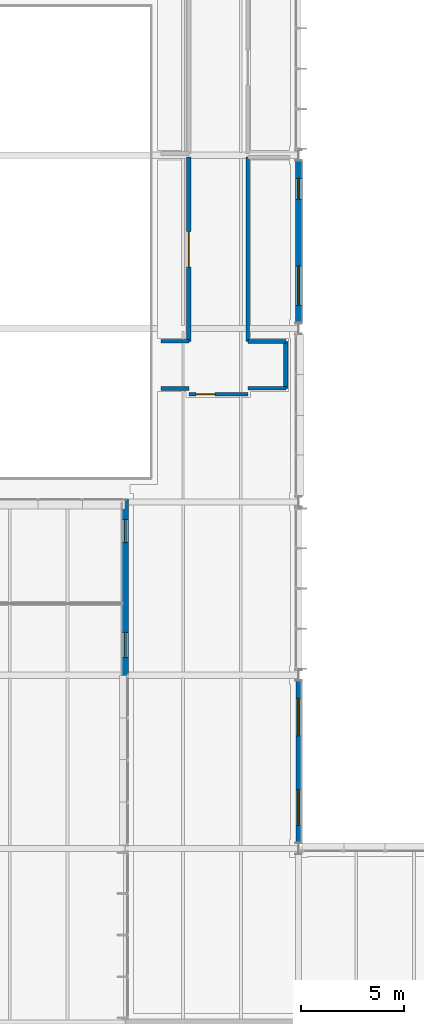
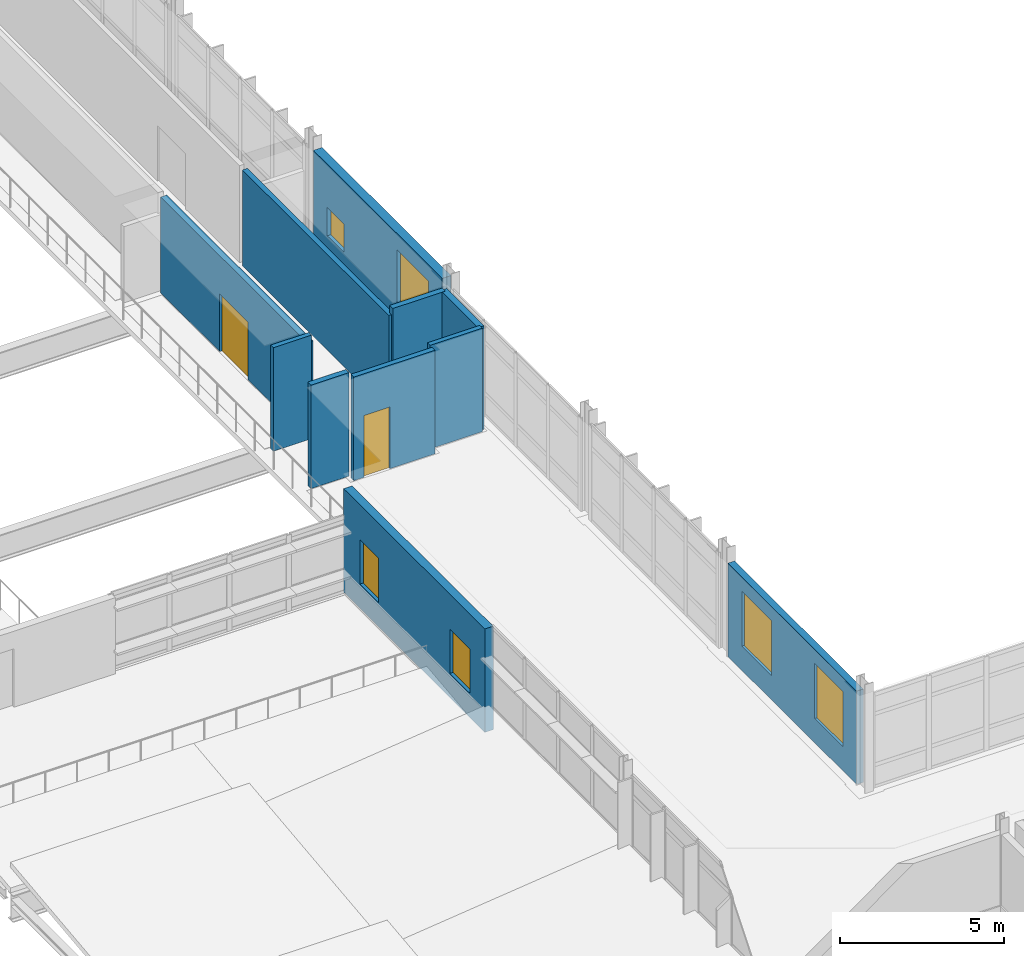
# One storey, part 106 of 131: 11 walls, 6 windows, 2 doors, 8 openings.
"""IFC4 building model written with IfcOpenShell, lengths in metres."""

from ifc_helpers import new_model, si_unit, direction, frame, frame_2d, origin, place, context, subcontext, project, spatial, rectangle, extrude, material, layer, layer_set, type_object, element, fill, save


model = new_model("IFC4")

# Units and contexts
model_context = context("Model", 3, precision=1e-05, world=origin(), true_north=direction((0.0, 1.0)))
body_context = subcontext(model_context, "Body", "Model", "MODEL_VIEW")
ifc_project = project(units=[si_unit("LENGTHUNIT", "METRE"), si_unit("AREAUNIT", "SQUARE_METRE"), si_unit("VOLUMEUNIT", "CUBIC_METRE"), si_unit("PLANEANGLEUNIT", "RADIAN"), si_unit("MASSUNIT", "GRAM", prefix="KILO")], contexts=[model_context])

# Site, building, storey
site_placement = place(None, origin())
site = spatial("IfcSite", under=ifc_project, at=site_placement, CompositionType="ELEMENT")
building_placement = place(site_placement, origin())
building = spatial("IfcBuilding", under=site, at=building_placement, Name="Mersafa Astral City Hall", CompositionType="ELEMENT")
storey_placement = place(building_placement, frame((0.0, 0.0, 13.949951171875)))
storey = spatial("IfcBuildingStorey", under=building, at=storey_placement, Name="L03", CompositionType="ELEMENT", Elevation=13.949951171875)

# Wall, openings, windows
ifc_material_1 = material(Name="Precast concrete C40/50 insulated terracotta spandrel", Category="masonry")
ifc_layer_1 = layer(ifc_material_1, 0.235107421875, Name="Precast concrete C40/50 insulated terracotta spandrel")
ifc_layer_set_1 = layer_set([ifc_layer_1], Name="Precast concrete C40/50 insulated terracotta spandrel — ENV-WAL-EXT-235")
wall_type_1 = type_object("IfcWallType", Name="ENV-WAL-EXT-235", PredefinedType="STANDARD", material=ifc_layer_set_1)
wall_1_placement = place(storey_placement, frame((117.60009765625, 33.87109375, 0.0), z_axis=(0.0, 0.0, 1.0), x_axis=(0.0, 1.0, 0.0)))
wall_1 = element("IfcWall", 1, at=wall_1_placement, inside=storey, type_object=wall_type_1, Name="L03 Limestone-clad exterior wall 233", PredefinedType="STANDARD", context=body_context, shape_type="SweptSolid", body=[
    extrude(rectangle(XDim=7.85791015625, YDim=0.235107421875, at=frame_2d((3.928955078125, 0.0))), origin(), (0.0, 0.0, 1.0), 3.47216796875),
])
opening_1_placement = place(wall_1_placement, frame((0.85009765625, 0.0, 0.89990234375)))
opening_1 = element("IfcOpeningElement", 2, at=opening_1_placement, cuts=wall_1, Name="Opening W-58", PredefinedType="OPENING", context=body_context, shape_type="SweptSolid", body=[
    extrude(rectangle(XDim=1.719970703125, YDim=2.050048828125, at=frame_2d((0.85986328125, 1.02490234375))), frame((0.0, 0.12744140625, 0.0), z_axis=(0.0, -1.0, 0.0), x_axis=(1.0, 0.0, 0.0)), (0.0, 0.0, 1.0), 0.255126953125),
])
opening_2_placement = place(wall_1_placement, frame((5.18798828125, 0.0, 0.89990234375)))
opening_2 = element("IfcOpeningElement", 3, at=opening_2_placement, cuts=wall_1, Name="Opening W-59", PredefinedType="OPENING", context=body_context, shape_type="SweptSolid", body=[
    extrude(rectangle(XDim=1.820068359375, YDim=2.050048828125, at=frame_2d((0.91015625, 1.02490234375))), frame((0.0, 0.12744140625, 0.0), z_axis=(0.0, -1.0, 0.0), x_axis=(1.0, 0.0, 0.0)), (0.0, 0.0, 1.0), 0.255126953125),
])
ifc_material_2 = material(Name="Solar control low-e double glazing in bronze frame", Category="glass")
window_type_1 = type_object("IfcWindowType", Name="ENV-WIN-W-58", PartitioningType="SINGLE_PANEL", PredefinedType="WINDOW", material=ifc_material_2)
window_1_placement = place(opening_1_placement, origin())
window_1 = element("IfcWindow", 4, at=window_1_placement, inside=storey, type_object=window_type_1, Name="L03 Solar punched window 233-L", OverallHeight=2.050048828125, OverallWidth=1.719970703125, PartitioningType="SINGLE_PANEL", PredefinedType="WINDOW", context=body_context, shape_type="SweptSolid", body=[
    extrude(rectangle(XDim=1.719970703125, YDim=2.050048828125, at=frame_2d((0.85986328125, 1.02490234375))), frame((0.0, 0.030029296875, 0.0), z_axis=(0.0, -1.0, 0.0), x_axis=(1.0, 0.0, 0.0)), (0.0, 0.0, 1.0), 0.06005859375),
])
fill(opening_1, window_1)
window_type_2 = type_object("IfcWindowType", Name="ENV-WIN-W-59", PartitioningType="SINGLE_PANEL", PredefinedType="WINDOW", material=ifc_material_2)
window_2_placement = place(opening_2_placement, origin())
window_2 = element("IfcWindow", 5, at=window_2_placement, inside=storey, type_object=window_type_2, Name="L03 Solar punched window 233-R", OverallHeight=2.050048828125, OverallWidth=1.820068359375, PartitioningType="SINGLE_PANEL", PredefinedType="WINDOW", context=body_context, shape_type="SweptSolid", body=[
    extrude(rectangle(XDim=1.820068359375, YDim=2.050048828125, at=frame_2d((0.91015625, 1.02490234375))), frame((0.0, 0.030029296875, 0.0), z_axis=(0.0, -1.0, 0.0), x_axis=(1.0, 0.0, 0.0)), (0.0, 0.0, 1.0), 0.06005859375),
])
fill(opening_2, window_2)

ifc_material_3 = material(Name="Precast concrete C40/50 insulated limestone wall", Category="masonry")
ifc_layer_2 = layer(ifc_material_3, 0.294921875, Name="Precast concrete C40/50 insulated limestone wall")
ifc_layer_set_2 = layer_set([ifc_layer_2], Name="Precast concrete C40/50 insulated limestone wall — ENV-WAL-EXT-295")
wall_type_2 = type_object("IfcWallType", Name="ENV-WAL-EXT-295", PredefinedType="STANDARD", material=ifc_layer_set_2)
wall_2_placement = place(storey_placement, frame((109.199951171875, 50.5400390625, 0.0), z_axis=(0.0, 0.0, 1.0), x_axis=(0.0, -1.0, 0.0)))
wall_2 = element("IfcWall", 6, at=wall_2_placement, inside=storey, type_object=wall_type_2, Name="L03 Limestone-clad exterior wall 283", PredefinedType="STANDARD", context=body_context, shape_type="SweptSolid", body=[
    extrude(rectangle(XDim=8.60498046875, YDim=0.294921875, at=frame_2d((4.302490234375, 0.0))), origin(), (0.0, 0.0, 1.0), 3.85009765625),
])
opening_3_placement = place(wall_2_placement, frame((0.989990234375, 0.0, 0.89990234375)))
opening_3 = element("IfcOpeningElement", 7, at=opening_3_placement, cuts=wall_2, Name="Opening W-32", PredefinedType="OPENING", context=body_context, shape_type="SweptSolid", body=[
    extrude(rectangle(XDim=1.1201171875, YDim=1.64990234375, at=frame_2d((0.56005859375, 0.824951171875))), frame((0.0, 0.157470703125, 0.0), z_axis=(0.0, -1.0, 0.0), x_axis=(1.0, 0.0, 0.0)), (0.0, 0.0, 1.0), 0.31494140625),
])
opening_4_placement = place(wall_2_placement, frame((6.469970703125, 0.0, 0.89990234375)))
opening_4 = element("IfcOpeningElement", 8, at=opening_4_placement, cuts=wall_2, Name="Opening W-33", PredefinedType="OPENING", context=body_context, shape_type="SweptSolid", body=[
    extrude(rectangle(XDim=1.219970703125, YDim=1.64990234375, at=frame_2d((0.60986328125, 0.824951171875))), frame((0.0, 0.157470703125, 0.0), z_axis=(0.0, -1.0, 0.0), x_axis=(1.0, 0.0, 0.0)), (0.0, 0.0, 1.0), 0.31494140625),
])
window_type_3 = type_object("IfcWindowType", Name="ENV-WIN-W-32", PartitioningType="SINGLE_PANEL", PredefinedType="WINDOW", material=ifc_material_2)
window_3_placement = place(opening_3_placement, origin())
window_3 = element("IfcWindow", 9, at=window_3_placement, inside=storey, type_object=window_type_3, Name="L03 Solar punched window 283-L", OverallHeight=1.64990234375, OverallWidth=1.1201171875, PartitioningType="SINGLE_PANEL", PredefinedType="WINDOW", context=body_context, shape_type="SweptSolid", body=[
    extrude(rectangle(XDim=1.1201171875, YDim=1.64990234375, at=frame_2d((0.56005859375, 0.824951171875))), frame((0.0, 0.030029296875, 0.0), z_axis=(0.0, -1.0, 0.0), x_axis=(1.0, 0.0, 0.0)), (0.0, 0.0, 1.0), 0.06005859375),
])
fill(opening_3, window_3)
window_type_4 = type_object("IfcWindowType", Name="ENV-WIN-W-33", PartitioningType="SINGLE_PANEL", PredefinedType="WINDOW", material=ifc_material_2)
window_4_placement = place(opening_4_placement, origin())
window_4 = element("IfcWindow", 10, at=window_4_placement, inside=storey, type_object=window_type_4, Name="L03 Solar punched window 283-R", OverallHeight=1.64990234375, OverallWidth=1.219970703125, PartitioningType="SINGLE_PANEL", PredefinedType="WINDOW", context=body_context, shape_type="SweptSolid", body=[
    extrude(rectangle(XDim=1.219970703125, YDim=1.64990234375, at=frame_2d((0.60986328125, 0.824951171875))), frame((0.0, 0.030029296875, 0.0), z_axis=(0.0, -1.0, 0.0), x_axis=(1.0, 0.0, 0.0)), (0.0, 0.0, 1.0), 0.06005859375),
])
fill(opening_4, window_4)

ifc_layer_3 = layer(ifc_material_3, 0.31005859375, Name="Precast concrete C40/50 insulated limestone wall")
ifc_layer_set_3 = layer_set([ifc_layer_3], Name="Precast concrete C40/50 insulated limestone wall — ENV-WAL-EXT-310")
wall_type_3 = type_object("IfcWallType", Name="ENV-WAL-EXT-310", PredefinedType="STANDARD", material=ifc_layer_set_3)
wall_3_placement = place(storey_placement, frame((117.60009765625, 59.071044921875, 0.0), z_axis=(0.0, 0.0, 1.0), x_axis=(0.0, 1.0, 0.0)))
wall_3 = element("IfcWall", 11, at=wall_3_placement, inside=storey, type_object=wall_type_3, Name="L03 Limestone-clad exterior wall 234", PredefinedType="STANDARD", context=body_context, shape_type="SweptSolid", body=[
    extrude(rectangle(XDim=7.85791015625, YDim=0.31005859375, at=frame_2d((3.928955078125, 0.0))), origin(), (0.0, 0.0, 1.0), 3.56201171875),
])
opening_5_placement = place(wall_3_placement, frame((0.85009765625, 0.0, 0.89990234375)))
opening_5 = element("IfcOpeningElement", 12, at=opening_5_placement, cuts=wall_3, Name="Opening W-60", PredefinedType="OPENING", context=body_context, shape_type="SweptSolid", body=[
    extrude(rectangle(XDim=1.919921875, YDim=2.050048828125, at=frame_2d((0.9599609375, 1.02490234375))), frame((0.0, 0.1650390625, 0.0), z_axis=(0.0, -1.0, 0.0), x_axis=(1.0, 0.0, 0.0)), (0.0, 0.0, 1.0), 0.330078125),
])
opening_6_placement = place(wall_3_placement, frame((5.988037109375, 0.0, 0.89990234375)))
opening_6 = element("IfcOpeningElement", 13, at=opening_6_placement, cuts=wall_3, Name="Opening W-01", PredefinedType="OPENING", context=body_context, shape_type="SweptSolid", body=[
    extrude(rectangle(XDim=1.02001953125, YDim=1.050048828125, at=frame_2d((0.510009765625, 0.52490234375))), frame((0.0, 0.1650390625, 0.0), z_axis=(0.0, -1.0, 0.0), x_axis=(1.0, 0.0, 0.0)), (0.0, 0.0, 1.0), 0.330078125),
])
window_type_5 = type_object("IfcWindowType", Name="ENV-WIN-W-01", PartitioningType="SINGLE_PANEL", PredefinedType="WINDOW", material=ifc_material_2)
window_5_placement = place(opening_6_placement, origin())
window_5 = element("IfcWindow", 14, at=window_5_placement, inside=storey, type_object=window_type_5, Name="L03 Solar punched window 234-R", OverallHeight=1.050048828125, OverallWidth=1.02001953125, PartitioningType="SINGLE_PANEL", PredefinedType="WINDOW", context=body_context, shape_type="SweptSolid", body=[
    extrude(rectangle(XDim=1.02001953125, YDim=1.050048828125, at=frame_2d((0.510009765625, 0.52490234375))), frame((0.0, 0.030029296875, 0.0), z_axis=(0.0, -1.0, 0.0), x_axis=(1.0, 0.0, 0.0)), (0.0, 0.0, 1.0), 0.06005859375),
])
fill(opening_6, window_5)
window_type_6 = type_object("IfcWindowType", Name="ENV-WIN-W-60", PartitioningType="SINGLE_PANEL", PredefinedType="WINDOW", material=ifc_material_2)
window_6_placement = place(opening_5_placement, origin())
window_6 = element("IfcWindow", 15, at=window_6_placement, inside=storey, type_object=window_type_6, Name="L03 Solar punched window 234-L", OverallHeight=2.050048828125, OverallWidth=1.919921875, PartitioningType="SINGLE_PANEL", PredefinedType="WINDOW", context=body_context, shape_type="SweptSolid", body=[
    extrude(rectangle(XDim=1.919921875, YDim=2.050048828125, at=frame_2d((0.9599609375, 1.02490234375))), frame((0.0, 0.030029296875, 0.0), z_axis=(0.0, -1.0, 0.0), x_axis=(1.0, 0.0, 0.0)), (0.0, 0.0, 1.0), 0.06005859375),
])
fill(opening_5, window_6)

# Walls
ifc_material_4 = material(Name="Fire-rated gypsum stud partition", Category="gypsum")
ifc_layer_4 = layer(ifc_material_4, 0.1650390625, Name="Fire-rated gypsum stud partition")
ifc_layer_set_4 = layer_set([ifc_layer_4], Name="Fire-rated gypsum stud partition — INT-WAL-PART-EI60-165")
wall_type_4 = type_object("IfcWallType", Name="INT-WAL-PART-EI60-165", PredefinedType="STANDARD", material=ifc_layer_set_4)
wall_4_placement = place(storey_placement, frame((115.139892578125, 55.89990234375, -0.00390625), z_axis=(0.0, 0.0, 1.0), x_axis=(1.0, 0.0, 0.0)))
element("IfcWall", 16, at=wall_4_placement, inside=storey, type_object=wall_type_4, Name="L03 Interior partition wall 587", PredefinedType="STANDARD", context=body_context, shape_type="SweptSolid", body=[
    extrude(rectangle(XDim=1.840087890625, YDim=0.1650390625, at=frame_2d((0.919921875, 0.0))), origin(), (0.0, 0.0, 1.0), 3.85400390625),
])
wall_5_placement = place(storey_placement, frame((112.280029296875, 58.179931640625, -0.00390625), z_axis=(0.0, 0.0, 1.0), x_axis=(-1.0, 0.0, 0.0)))
element("IfcWall", 17, at=wall_5_placement, inside=storey, type_object=wall_type_4, Name="L03 Interior partition wall 667", PredefinedType="STANDARD", context=body_context, shape_type="SweptSolid", body=[
    extrude(rectangle(XDim=1.340087890625, YDim=0.1650390625, at=frame_2d((0.669921875, 0.0))), origin(), (0.0, 0.0, 1.0), 3.85400390625),
])

# Wall, opening, door
ifc_material_5 = material(Name="Acoustic twin-stud gypsum partition", Category="gypsum")
ifc_layer_5 = layer(ifc_material_5, 0.179931640625, Name="Acoustic twin-stud gypsum partition")
ifc_layer_set_5 = layer_set([ifc_layer_5], Name="Acoustic twin-stud gypsum partition — INT-WAL-PART-EI60-180")
wall_type_5 = type_object("IfcWallType", Name="INT-WAL-PART-EI60-180", PredefinedType="STANDARD", material=ifc_layer_set_5)
wall_6_placement = place(storey_placement, frame((112.280029296875, 55.610107421875, -0.00390625), z_axis=(0.0, 0.0, 1.0), x_axis=(1.0, 0.0, 0.0)))
wall_6 = element("IfcWall", 18, at=wall_6_placement, inside=storey, type_object=wall_type_5, Name="L03 Interior partition wall 586", PredefinedType="STANDARD", context=body_context, shape_type="SweptSolid", body=[
    extrude(rectangle(XDim=2.85986328125, YDim=0.179931640625, at=frame_2d((1.429931640625, 0.0))), origin(), (0.0, 0.0, 1.0), 3.85400390625),
])
opening_7_placement = place(wall_6_placement, frame((0.360107421875, 0.0, 0.0)))
opening_7 = element("IfcOpeningElement", 19, at=opening_7_placement, cuts=wall_6, Name="Opening D-28", PredefinedType="OPENING", context=body_context, shape_type="SweptSolid", body=[
    extrude(rectangle(XDim=0.919921875, YDim=2.300048828125, at=frame_2d((0.4599609375, 1.14990234375))), frame((0.0, 0.099853515625, 0.0), z_axis=(0.0, -1.0, 0.0), x_axis=(1.0, 0.0, 0.0)), (0.0, 0.0, 1.0), 0.199951171875),
])
ifc_material_6 = material(Name="Cedar veneered acoustic fire-rated timber door", Category="wood")
door_type_1 = type_object("IfcDoorType", Name="INT-DR-RM-D-28", OperationType="NOTDEFINED", PredefinedType="DOOR", material=ifc_material_6)
door_1_placement = place(opening_7_placement, origin())
door_1 = element("IfcDoor", 20, at=door_1_placement, inside=storey, type_object=door_type_1, Name="L03 Building Permits Technical Office L03-08 Entrance Door", OperationType="SINGLE_SWING_RIGHT", OverallHeight=2.300048828125, OverallWidth=0.919921875, PredefinedType="DOOR", context=body_context, shape_type="SweptSolid", body=[
    extrude(rectangle(XDim=0.919921875, YDim=2.300048828125, at=frame_2d((0.4599609375, 1.14990234375))), frame((0.0, 0.02490234375, 0.0), z_axis=(0.0, -1.0, 0.0), x_axis=(1.0, 0.0, 0.0)), (0.0, 0.0, 1.0), 0.050048828125),
])
fill(opening_7, door_1)

# Walls
wall_7_placement = place(storey_placement, frame((115.139892578125, 58.179931640625, -0.00390625), z_axis=(0.0, 0.0, 1.0), x_axis=(0.0, 1.0, 0.0)))
element("IfcWall", 21, at=wall_7_placement, inside=storey, type_object=wall_type_5, Name="L03 Interior partition wall 590", PredefinedType="STANDARD", context=body_context, shape_type="SweptSolid", body=[
    extrude(rectangle(XDim=8.93017578125, YDim=0.179931640625, at=frame_2d((4.465087890625, 0.0))), origin(), (0.0, 0.0, 1.0), 3.56591796875),
])
ifc_layer_6 = layer(ifc_material_5, 0.195068359375, Name="Acoustic twin-stud gypsum partition")
ifc_layer_set_6 = layer_set([ifc_layer_6], Name="Acoustic twin-stud gypsum partition — INT-WAL-PART-EI60-195")
wall_type_6 = type_object("IfcWallType", Name="INT-WAL-PART-EI60-195", PredefinedType="STANDARD", material=ifc_layer_set_6)
wall_8_placement = place(storey_placement, frame((110.93994140625, 55.89990234375, -0.00390625), z_axis=(0.0, 0.0, 1.0), x_axis=(1.0, 0.0, 0.0)))
element("IfcWall", 22, at=wall_8_placement, inside=storey, type_object=wall_type_6, Name="L03 Interior partition wall 585", PredefinedType="STANDARD", context=body_context, shape_type="SweptSolid", body=[
    extrude(rectangle(XDim=1.340087890625, YDim=0.195068359375, at=frame_2d((0.669921875, 0.0))), origin(), (0.0, 0.0, 1.0), 3.85400390625),
])
wall_9_placement = place(storey_placement, frame((116.97998046875, 58.179931640625, -0.00390625), z_axis=(0.0, 0.0, 1.0), x_axis=(-1.0, 0.0, 0.0)))
element("IfcWall", 23, at=wall_9_placement, inside=storey, type_object=wall_type_6, Name="L03 Interior partition wall 589", PredefinedType="STANDARD", context=body_context, shape_type="SweptSolid", body=[
    extrude(rectangle(XDim=1.840087890625, YDim=0.195068359375, at=frame_2d((0.919921875, 0.0))), origin(), (0.0, 0.0, 1.0), 3.85400390625),
])
ifc_material_7 = material(Name="Autoclaved aerated concrete blockwork plastered", Category="masonry")
ifc_layer_7 = layer(ifc_material_7, 0.2099609375, Name="Autoclaved aerated concrete blockwork plastered")
ifc_layer_set_7 = layer_set([ifc_layer_7], Name="Autoclaved aerated concrete blockwork plastered — INT-WAL-PART-EI60-210")
wall_type_7 = type_object("IfcWallType", Name="INT-WAL-PART-EI60-210", PredefinedType="STANDARD", material=ifc_layer_set_7)
wall_10_placement = place(storey_placement, frame((116.97998046875, 55.89990234375, -0.00390625), z_axis=(0.0, 0.0, 1.0), x_axis=(0.0, 1.0, 0.0)))
element("IfcWall", 24, at=wall_10_placement, inside=storey, type_object=wall_type_7, Name="L03 Interior partition wall 588", PredefinedType="STANDARD", context=body_context, shape_type="SweptSolid", body=[
    extrude(rectangle(XDim=2.280029296875, YDim=0.2099609375, at=frame_2d((1.14013671875, 0.0))), origin(), (0.0, 0.0, 1.0), 3.85400390625),
])

# Wall, opening, door
wall_11_placement = place(storey_placement, frame((112.280029296875, 67.110107421875, -0.00390625), z_axis=(0.0, 0.0, 1.0), x_axis=(0.0, -1.0, 0.0)))
wall_11 = element("IfcWall", 25, at=wall_11_placement, inside=storey, type_object=wall_type_7, Name="L03 Interior partition wall 668", PredefinedType="STANDARD", context=body_context, shape_type="SweptSolid", body=[
    extrude(rectangle(XDim=8.93017578125, YDim=0.2099609375, at=frame_2d((4.465087890625, 0.0))), origin(), (0.0, 0.0, 1.0), 3.56591796875),
])
opening_8_placement = place(wall_11_placement, frame((3.60498046875, 0.0, 0.0)))
opening_8 = element("IfcOpeningElement", 26, at=opening_8_placement, cuts=wall_11, Name="Opening D-18", PredefinedType="OPENING", context=body_context, shape_type="SweptSolid", body=[
    extrude(rectangle(XDim=1.719970703125, YDim=2.139892578125, at=frame_2d((0.85986328125, 1.06982421875))), frame((0.0, 0.114990234375, 0.0), z_axis=(0.0, -1.0, 0.0), x_axis=(1.0, 0.0, 0.0)), (0.0, 0.0, 1.0), 0.22998046875),
])
door_type_2 = type_object("IfcDoorType", Name="INT-DR-RM-D-18", OperationType="NOTDEFINED", PredefinedType="DOOR", material=ifc_material_6)
door_2_placement = place(opening_8_placement, origin())
door_2 = element("IfcDoor", 27, at=door_2_placement, inside=storey, type_object=door_type_2, Name="L03 Public Procurement Review Room L03-34 Entrance Door", OperationType="SINGLE_SWING_RIGHT", OverallHeight=2.139892578125, OverallWidth=1.719970703125, PredefinedType="DOOR", context=body_context, shape_type="SweptSolid", body=[
    extrude(rectangle(XDim=1.719970703125, YDim=2.139892578125, at=frame_2d((0.85986328125, 1.06982421875))), frame((0.0, 0.02490234375, 0.0), z_axis=(0.0, -1.0, 0.0), x_axis=(1.0, 0.0, 0.0)), (0.0, 0.0, 1.0), 0.050048828125),
])
fill(opening_8, door_2)

save(model, "model.ifc")
